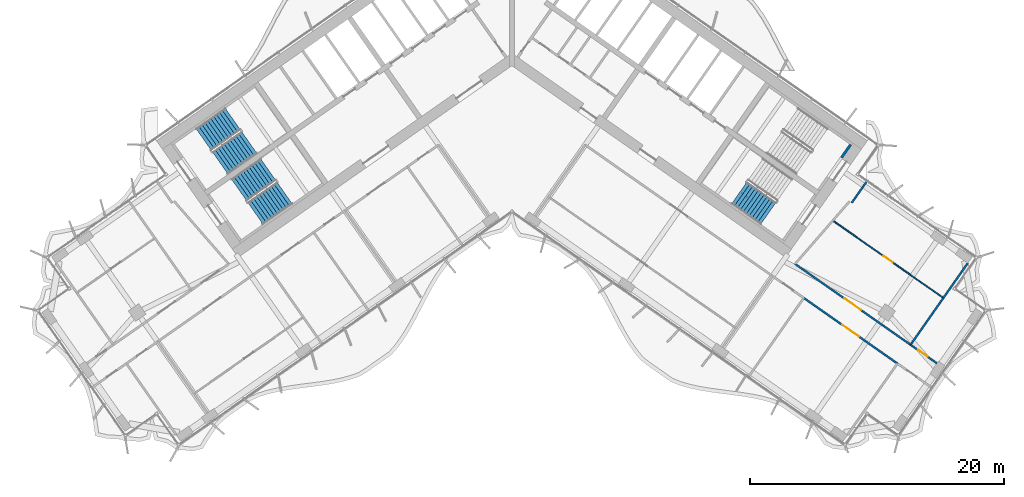
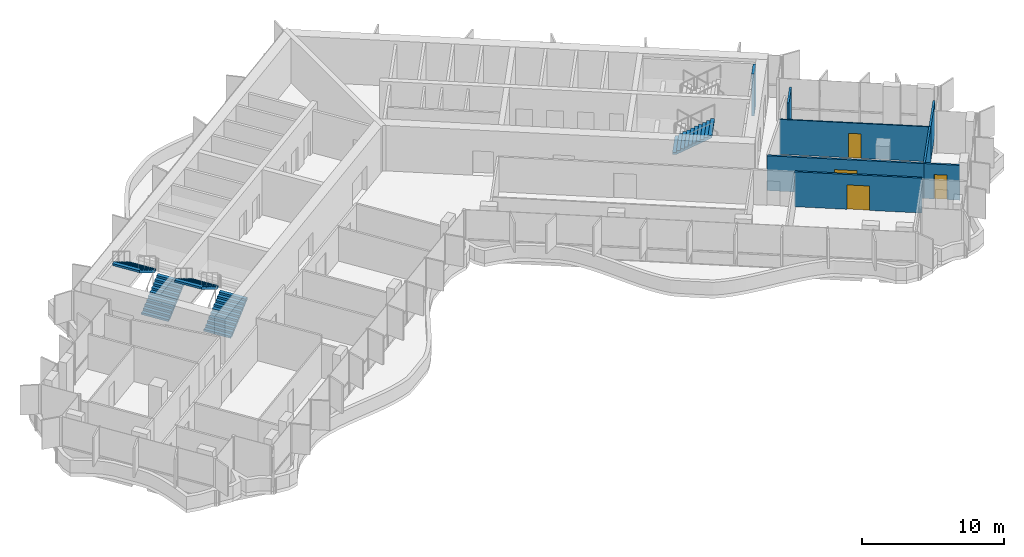
# One storey, part 17 of 23: 8 walls, 5 stair flights, 4 doors, 4 openings, 3 elements without a shape of their own.
"""IFC4 building model written with IfcOpenShell, lengths in metres."""

from ifc_helpers import new_model, si_unit, direction, frame, frame_2d, origin, place, context, subcontext, project, spatial, polyline, rectangle, outline, extrude, material, layer, layer_set, type_object, element, fill, aggregate, save


model = new_model("IFC4")

# Units and contexts
model_context = context("Model", 3, precision=1e-05, world=origin(), true_north=direction((0.0, 1.0)))
body_context = subcontext(model_context, "Body", "Model", "MODEL_VIEW")
ifc_project = project(units=[si_unit("LENGTHUNIT", "METRE"), si_unit("AREAUNIT", "SQUARE_METRE"), si_unit("VOLUMEUNIT", "CUBIC_METRE"), si_unit("PLANEANGLEUNIT", "RADIAN"), si_unit("MASSUNIT", "GRAM", prefix="KILO")], contexts=[model_context])

# Site, building, storey
site_placement = place(None, origin())
site = spatial("IfcSite", under=ifc_project, at=site_placement, CompositionType="ELEMENT")
building_placement = place(site_placement, origin())
building = spatial("IfcBuilding", under=site, at=building_placement, Name="Tel Ilan Convention Tower", CompositionType="ELEMENT")
storey_placement = place(building_placement, frame((0.0, 0.0, 182.699951171875)))
storey = spatial("IfcBuildingStorey", under=building, at=storey_placement, Name="L42", CompositionType="ELEMENT", Elevation=182.699951171875)

# Wall, opening, door
ifc_material_1 = material(Name="Plasterboard on Steel Studs", Category="steel")
ifc_layer_1 = layer(ifc_material_1, 0.14990234375)
ifc_layer_set_1 = layer_set([ifc_layer_1], Name="Fire-rated Partition 150 EI 60")
wall_type_1 = type_object("IfcWallType", Name="Fire-rated Partition 150 EI 60", PredefinedType="PARTITIONING", material=ifc_layer_set_1)
wall_1_placement = place(storey_placement, frame((22.283203125, -16.82373046875, 0.0), z_axis=(0.0, 0.0, 1.0), x_axis=(0.819159575642, -0.573565680313, 0.0)))
wall_1 = element("IfcWall", 1, at=wall_1_placement, inside=storey, type_object=wall_type_1, Name="Partition 001", PredefinedType="PARTITIONING", context=body_context, shape_type="SweptSolid", body=[
    extrude(rectangle(XDim=11.098876953125, YDim=0.14990234375, at=frame_2d((5.54931640625, 0.0))), origin(), (0.0, 0.0, 1.0), 3.0),
])
opening_1_placement = place(wall_1_placement, frame((4.74951171875, 0.0, 0.0)))
opening_1 = element("IfcOpeningElement", 2, at=opening_1_placement, cuts=wall_1, Name="Opening L42-018", PredefinedType="OPENING", context=body_context, shape_type="SweptSolid", body=[
    extrude(rectangle(XDim=1.60009765625, YDim=2.10009765625, at=frame_2d((0.800048828125, 1.050048828125))), frame((0.0, 0.0849609375, 0.0), z_axis=(0.0, -1.0, 0.0), x_axis=(1.0, 0.0, 0.0)), (0.0, 0.0, 1.0), 0.169921875),
])
ifc_material_2 = material(Name="Timber Door Leaf in Steel Frame", Category="steel")
door_type_1 = type_object("IfcDoorType", Name="Tenant Suite Entrance Fire Door 1600x2100", OperationType="NOTDEFINED", PredefinedType="DOOR", material=ifc_material_2)
door_1_placement = place(opening_1_placement, origin())
door_1 = element("IfcDoor", 3, at=door_1_placement, inside=storey, type_object=door_type_1, Name="Door L42-018", OperationType="DOUBLE_DOOR_SINGLE_SWING", OverallHeight=2.10009765625, OverallWidth=1.60009765625, PredefinedType="DOOR", context=body_context, shape_type="SweptSolid", body=[
    extrude(rectangle(XDim=1.60009765625, YDim=2.10009765625, at=frame_2d((0.800048828125, 1.050048828125))), frame((0.0, 0.02490234375, 0.0), z_axis=(0.0, -1.0, 0.0), x_axis=(1.0, 0.0, 0.0)), (0.0, 0.0, 1.0), 0.050048828125),
])
fill(opening_1, door_1)

wall_2_placement = place(storey_placement, frame((31.37158203125, -23.1875, 0.0), z_axis=(0.0, 0.0, 1.0), x_axis=(0.819150379241, -0.573578814278, 0.0)))
wall_2 = element("IfcWall", 4, at=wall_2_placement, inside=storey, type_object=wall_type_1, Name="Partition 002", PredefinedType="PARTITIONING", context=body_context, shape_type="SweptSolid", body=[
    extrude(rectangle(XDim=2.5322265625, YDim=0.14990234375, at=frame_2d((1.26611328125, 0.0))), origin(), (0.0, 0.0, 1.0), 3.0),
])
opening_2_placement = place(wall_2_placement, frame((0.716064453125, 0.0, 0.0)))
opening_2 = element("IfcOpeningElement", 5, at=opening_2_placement, cuts=wall_2, Name="Opening L42-020", PredefinedType="OPENING", context=body_context, shape_type="SweptSolid", body=[
    extrude(rectangle(XDim=0.89990234375, YDim=2.10009765625, at=frame_2d((0.449951171875, 1.050048828125))), frame((0.0, 0.0849609375, 0.0), z_axis=(0.0, -1.0, 0.0), x_axis=(1.0, 0.0, 0.0)), (0.0, 0.0, 1.0), 0.169921875),
])
ifc_material_3 = material(Name="Timber Door Leaf in Steel Frame", Category="steel")
door_type_2 = type_object("IfcDoorType", Name="Room Fire Door 900x2100", OperationType="NOTDEFINED", PredefinedType="DOOR", material=ifc_material_3)
door_2_placement = place(opening_2_placement, origin())
door_2 = element("IfcDoor", 6, at=door_2_placement, inside=storey, type_object=door_type_2, Name="Door L42-020", OperationType="SINGLE_SWING_RIGHT", OverallHeight=2.10009765625, OverallWidth=0.89990234375, PredefinedType="DOOR", context=body_context, shape_type="SweptSolid", body=[
    extrude(rectangle(XDim=0.89990234375, YDim=2.10009765625, at=frame_2d((0.449951171875, 1.050048828125))), frame((0.0, 0.02490234375, 0.0), z_axis=(0.0, -1.0, 0.0), x_axis=(1.0, 0.0, 0.0)), (0.0, 0.0, 1.0), 0.050048828125),
])
fill(opening_2, door_2)

wall_3_placement = place(storey_placement, frame((30.342529296875, -24.664306640625, 0.0), z_axis=(0.0, 0.0, 1.0), x_axis=(-0.819151661297, 0.57357698332, 0.0)))
wall_3 = element("IfcWall", 7, at=wall_3_placement, inside=storey, type_object=wall_type_1, Name="Partition 005", PredefinedType="PARTITIONING", context=body_context, shape_type="SweptSolid", body=[
    extrude(rectangle(XDim=9.004150390625, YDim=0.14990234375, at=frame_2d((4.501953125, 0.0))), origin(), (0.0, 0.0, 1.0), 3.0),
])
opening_3_placement = place(wall_3_placement, frame((3.701904296875, 0.0, 0.0)))
opening_3 = element("IfcOpeningElement", 8, at=opening_3_placement, cuts=wall_3, Name="Opening L42-016", PredefinedType="OPENING", context=body_context, shape_type="SweptSolid", body=[
    extrude(rectangle(XDim=1.60009765625, YDim=2.10009765625, at=frame_2d((0.800048828125, 1.050048828125))), frame((0.0, 0.0849609375, 0.0), z_axis=(0.0, -1.0, 0.0), x_axis=(1.0, 0.0, 0.0)), (0.0, 0.0, 1.0), 0.169921875),
])
door_3_placement = place(opening_3_placement, origin())
door_3 = element("IfcDoor", 9, at=door_3_placement, inside=storey, type_object=door_type_1, Name="Door L42-016", OperationType="DOUBLE_DOOR_SINGLE_SWING", OverallHeight=2.10009765625, OverallWidth=1.60009765625, PredefinedType="DOOR", context=body_context, shape_type="SweptSolid", body=[
    extrude(rectangle(XDim=1.60009765625, YDim=2.10009765625, at=frame_2d((0.800048828125, 1.050048828125))), frame((0.0, 0.02490234375, 0.0), z_axis=(0.0, -1.0, 0.0), x_axis=(1.0, 0.0, 0.0)), (0.0, 0.0, 1.0), 0.050048828125),
])
fill(opening_3, door_3)

# Walls
wall_4_placement = place(storey_placement, frame((35.864501953125, -16.774658203125, 0.0), z_axis=(0.0, 0.0, 1.0), x_axis=(-0.573560777794, -0.819163008306, 0.0)))
element("IfcWall", 10, at=wall_4_placement, inside=storey, type_object=wall_type_1, Name="Partition 018", PredefinedType="PARTITIONING", context=body_context, shape_type="SweptSolid", body=[
    extrude(rectangle(XDim=3.3291015625, YDim=0.14990234375, at=frame_2d((1.66455078125, 0.0))), origin(), (0.0, 0.0, 1.0), 2.900146484375),
])
wall_5_placement = place(storey_placement, frame((26.74609375, -12.013671875, 0.0), z_axis=(0.0, 0.0, 1.0), x_axis=(0.573568836472, 0.819157365729, 0.0)))
element("IfcWall", 11, at=wall_5_placement, inside=storey, type_object=wall_type_1, Name="Partition 020", PredefinedType="PARTITIONING", context=body_context, shape_type="SweptSolid", body=[
    extrude(rectangle(XDim=2.000244140625, YDim=0.14990234375, at=frame_2d((1.0, 0.0))), origin(), (0.0, 0.0, 1.0), 3.0),
])
wall_6_placement = place(storey_placement, frame((33.954345703125, -19.50244140625, 0.0), z_axis=(0.0, 0.0, 1.0), x_axis=(-0.573560650686, -0.819163097304, 0.0)))
element("IfcWall", 12, at=wall_6_placement, inside=storey, type_object=wall_type_1, Name="Partition 021", PredefinedType="PARTITIONING", context=body_context, shape_type="SweptSolid", body=[
    extrude(rectangle(XDim=4.5, YDim=0.14990234375, at=frame_2d((2.25, 0.0))), origin(), (0.0, 0.0, 1.0), 3.0),
])

# Wall, opening, door
ifc_material_4 = material(Name="Plasterboard on Steel Studs", Category="steel")
ifc_layer_2 = layer(ifc_material_4, 0.10009765625)
ifc_layer_set_2 = layer_set([ifc_layer_2], Name="Plasterboard Partition 100")
wall_type_2 = type_object("IfcWallType", Name="Plasterboard Partition 100", PredefinedType="PARTITIONING", material=ifc_layer_set_2)
wall_7_placement = place(storey_placement, frame((25.257568359375, -13.41162109375, 0.0), z_axis=(0.0, 0.0, 1.0), x_axis=(0.81915089424, -0.573578078788, 0.0)))
wall_7 = element("IfcWall", 13, at=wall_7_placement, inside=storey, type_object=wall_type_2, Name="Partition 017", PredefinedType="PARTITIONING", context=body_context, shape_type="SweptSolid", body=[
    extrude(rectangle(XDim=10.61767578125, YDim=0.10009765625, at=frame_2d((5.308837890625, 0.0))), origin(), (0.0, 0.0, 1.0), 3.0),
])
opening_4_placement = place(wall_7_placement, frame((4.85888671875, 0.0, 0.0)))
opening_4 = element("IfcOpeningElement", 14, at=opening_4_placement, cuts=wall_7, Name="Opening L42-019", PredefinedType="OPENING", context=body_context, shape_type="SweptSolid", body=[
    extrude(rectangle(XDim=0.89990234375, YDim=2.10009765625, at=frame_2d((0.449951171875, 1.050048828125))), frame((0.0, 0.06005859375, 0.0), z_axis=(0.0, -1.0, 0.0), x_axis=(1.0, 0.0, 0.0)), (0.0, 0.0, 1.0), 0.1201171875),
])
ifc_material_5 = material(Name="Timber Door Leaf in Steel Frame", Category="steel")
door_type_3 = type_object("IfcDoorType", Name="Room Timber Door 900x2100", OperationType="NOTDEFINED", PredefinedType="DOOR", material=ifc_material_5)
door_4_placement = place(opening_4_placement, origin())
door_4 = element("IfcDoor", 15, at=door_4_placement, inside=storey, type_object=door_type_3, Name="Door L42-019", OperationType="SINGLE_SWING_RIGHT", OverallHeight=2.10009765625, OverallWidth=0.89990234375, PredefinedType="DOOR", context=body_context, shape_type="SweptSolid", body=[
    extrude(rectangle(XDim=0.89990234375, YDim=2.10009765625, at=frame_2d((0.449951171875, 1.050048828125))), frame((0.0, 0.02490234375, 0.0), z_axis=(0.0, -1.0, 0.0), x_axis=(1.0, 0.0, 0.0)), (0.0, 0.0, 1.0), 0.050048828125),
])
fill(opening_4, door_4)

# Wall
ifc_material_6 = material(Name="Concrete C30/37", Category="concrete")
ifc_layer_3 = layer(ifc_material_6, 0.199951171875)
ifc_layer_set_3 = layer_set([ifc_layer_3], Name="Stair and Shaft Lining Wall 200 mm C30/37")
wall_type_3 = type_object("IfcWallType", Name="Stair and Shaft Lining Wall 200 mm C30/37", PredefinedType="SOLIDWALL", material=ifc_layer_set_3)
wall_8_placement = place(storey_placement, frame((25.939697265625, -8.4580078125, 0.0), z_axis=(0.0, 0.0, 1.0), x_axis=(0.573619628835, 0.819121798889, 0.0)))
element("IfcWall", 16, at=wall_8_placement, inside=storey, type_object=wall_type_3, Name="L42 core wall lining-S3-u1-1", PredefinedType="SOLIDWALL", context=body_context, shape_type="SweptSolid", body=[
    extrude(rectangle(XDim=1.25, YDim=0.199951171875, at=frame_2d((0.625, 0.0))), origin(), (0.0, 0.0, 1.0), 3.6201171875),
])

# Stair, stair flights
ifc_material_7 = material(Name="Concrete C40/50", Category="concrete")
stair_type = type_object("IfcStairType", Name="Pressurised Exit Stair 22 risers 177 mm", PredefinedType="HALF_TURN_STAIR", material=ifc_material_7)
stair_1_placement = place(storey_placement, origin())
stair_1 = element("IfcStair", 17, at=stair_1_placement, inside=storey, type_object=stair_type, Name="L42 Pressurised Stair S1", PredefinedType="HALF_TURN_STAIR")
ifc_material_8 = material(Name="Precast Concrete C40/50", Category="concrete")
stair_flight_type = type_object("IfcStairFlightType", Name="Concrete Stair Flight 2100 mm 22 risers 177 mm", PredefinedType="STRAIGHT", material=ifc_material_8)
stair_flight_1_placement = place(storey_placement, frame((-22.9619140625, -8.87548828125, 0.0), z_axis=(0.0, 0.0, 1.0), x_axis=(0.819152044289, 0.573576436351, 0.0)))
stair_flight_1 = element("IfcStairFlight", 18, at=stair_flight_1_placement, type_object=stair_flight_type, Name="S1 flight 1", NumberOfRisers=11, NumberOfTreads=10, PredefinedType="STRAIGHT", RiserHeight=0.177272727, TreadLength=0.28, context=body_context, shape_type="SweptSolid", body=[
    extrude(outline(polyline([(0.0, 0.0), (0.0, 0.17724609375), (0.280029296875, 0.17724609375), (0.280029296875, 0.3544921875), (0.56005859375, 0.3544921875), (0.56005859375, 0.53173828125), (0.840087890625, 0.53173828125), (0.840087890625, 0.708984375), (1.1201171875, 0.708984375), (1.1201171875, 0.886474609375), (1.39990234375, 0.886474609375), (1.39990234375, 1.063720703125), (1.679931640625, 1.063720703125), (1.679931640625, 1.240966796875), (1.9599609375, 1.240966796875), (1.9599609375, 1.418212890625), (2.239990234375, 1.418212890625), (2.239990234375, 1.595458984375), (2.52001953125, 1.595458984375), (2.52001953125, 1.772705078125), (2.800048828125, 1.772705078125), (2.800048828125, 1.949951171875), (2.800048828125, 1.59521484375), (0.2802734375, 0.0), (0.0, 0.0)])), frame((0.0, -0.100341796875, 0.0), z_axis=(0.0, -1.0, 0.0), x_axis=(1.0, 0.0, 0.0)), (0.0, 0.0, 1.0), 0.94970703125),
    extrude(outline(polyline([(0.0, 0.0), (0.0, 0.17724609375), (0.280029296875, 0.17724609375), (0.280029296875, 0.3544921875), (0.56005859375, 0.3544921875), (0.56005859375, 0.53173828125), (0.840087890625, 0.53173828125), (0.840087890625, 0.708984375), (1.1201171875, 0.708984375), (1.1201171875, 0.886474609375), (1.39990234375, 0.886474609375), (1.39990234375, 1.063720703125), (1.679931640625, 1.063720703125), (1.679931640625, 1.240966796875), (1.9599609375, 1.240966796875), (1.9599609375, 1.418212890625), (2.239990234375, 1.418212890625), (2.239990234375, 1.595458984375), (2.52001953125, 1.595458984375), (2.52001953125, 1.772705078125), (2.800048828125, 1.772705078125), (2.800048828125, 1.949951171875), (2.800048828125, 1.59521484375), (0.2802734375, 0.0), (0.0, 0.0)])), frame((0.0, -0.000244140625, 0.0), z_axis=(0.0, -1.0, 0.0), x_axis=(1.0, 0.0, 0.0)), (0.0, 0.0, 1.0), 0.099609375),
    extrude(outline(polyline([(0.0, 0.0), (0.0, 0.17724609375), (0.280029296875, 0.17724609375), (0.280029296875, 0.3544921875), (0.56005859375, 0.3544921875), (0.56005859375, 0.53173828125), (0.840087890625, 0.53173828125), (0.840087890625, 0.708984375), (1.1201171875, 0.708984375), (1.1201171875, 0.886474609375), (1.39990234375, 0.886474609375), (1.39990234375, 1.063720703125), (1.679931640625, 1.063720703125), (1.679931640625, 1.240966796875), (1.9599609375, 1.240966796875), (1.9599609375, 1.418212890625), (2.239990234375, 1.418212890625), (2.239990234375, 1.595458984375), (2.52001953125, 1.595458984375), (2.52001953125, 1.772705078125), (2.800048828125, 1.772705078125), (2.800048828125, 1.949951171875), (2.800048828125, 1.59521484375), (0.2802734375, 0.0), (0.0, 0.0)])), frame((0.0, 0.099853515625, 0.0), z_axis=(0.0, -1.0, 0.0), x_axis=(1.0, 0.0, 0.0)), (0.0, 0.0, 1.0), 0.099609375),
    extrude(outline(polyline([(0.0, 0.0), (0.0, 0.17724609375), (0.280029296875, 0.17724609375), (0.280029296875, 0.3544921875), (0.56005859375, 0.3544921875), (0.56005859375, 0.53173828125), (0.840087890625, 0.53173828125), (0.840087890625, 0.708984375), (1.1201171875, 0.708984375), (1.1201171875, 0.886474609375), (1.39990234375, 0.886474609375), (1.39990234375, 1.063720703125), (1.679931640625, 1.063720703125), (1.679931640625, 1.240966796875), (1.9599609375, 1.240966796875), (1.9599609375, 1.418212890625), (2.239990234375, 1.418212890625), (2.239990234375, 1.595458984375), (2.52001953125, 1.595458984375), (2.52001953125, 1.772705078125), (2.800048828125, 1.772705078125), (2.800048828125, 1.949951171875), (2.800048828125, 1.59521484375), (0.2802734375, 0.0), (0.0, 0.0)])), frame((0.0, 1.050048828125, 0.0), z_axis=(0.0, -1.0, 0.0), x_axis=(1.0, 0.0, 0.0)), (0.0, 0.0, 1.0), 0.94970703125),
])
stair_flight_2_placement = place(storey_placement, frame((-21.958740234375, -5.42626953125, 1.949951171875), z_axis=(0.0, 0.0, 1.0), x_axis=(-0.819152044289, -0.573576436351, 0.0)))
stair_flight_2 = element("IfcStairFlight", 19, at=stair_flight_2_placement, type_object=stair_flight_type, Name="S1 flight 2", NumberOfRisers=11, NumberOfTreads=10, PredefinedType="STRAIGHT", RiserHeight=0.177272727, TreadLength=0.28, context=body_context, shape_type="SweptSolid", body=[
    extrude(outline(polyline([(0.0, 0.0), (0.0, 0.17724609375), (0.280029296875, 0.17724609375), (0.280029296875, 0.3544921875), (0.56005859375, 0.3544921875), (0.56005859375, 0.53173828125), (0.840087890625, 0.53173828125), (0.840087890625, 0.708984375), (1.1201171875, 0.708984375), (1.1201171875, 0.886474609375), (1.39990234375, 0.886474609375), (1.39990234375, 1.063720703125), (1.679931640625, 1.063720703125), (1.679931640625, 1.240966796875), (1.9599609375, 1.240966796875), (1.9599609375, 1.418212890625), (2.239990234375, 1.418212890625), (2.239990234375, 1.595458984375), (2.52001953125, 1.595458984375), (2.52001953125, 1.772705078125), (2.800048828125, 1.772705078125), (2.800048828125, 1.949951171875), (2.800048828125, 1.59521484375), (0.2802734375, 0.0), (0.0, 0.0)])), frame((0.0, -0.100341796875, 0.0), z_axis=(0.0, -1.0, 0.0), x_axis=(1.0, 0.0, 0.0)), (0.0, 0.0, 1.0), 0.94970703125),
    extrude(outline(polyline([(0.0, 0.0), (0.0, 0.17724609375), (0.280029296875, 0.17724609375), (0.280029296875, 0.3544921875), (0.56005859375, 0.3544921875), (0.56005859375, 0.53173828125), (0.840087890625, 0.53173828125), (0.840087890625, 0.708984375), (1.1201171875, 0.708984375), (1.1201171875, 0.886474609375), (1.39990234375, 0.886474609375), (1.39990234375, 1.063720703125), (1.679931640625, 1.063720703125), (1.679931640625, 1.240966796875), (1.9599609375, 1.240966796875), (1.9599609375, 1.418212890625), (2.239990234375, 1.418212890625), (2.239990234375, 1.595458984375), (2.52001953125, 1.595458984375), (2.52001953125, 1.772705078125), (2.800048828125, 1.772705078125), (2.800048828125, 1.949951171875), (2.800048828125, 1.59521484375), (0.2802734375, 0.0), (0.0, 0.0)])), frame((0.0, -0.000244140625, 0.0), z_axis=(0.0, -1.0, 0.0), x_axis=(1.0, 0.0, 0.0)), (0.0, 0.0, 1.0), 0.099609375),
    extrude(outline(polyline([(0.0, 0.0), (0.0, 0.17724609375), (0.280029296875, 0.17724609375), (0.280029296875, 0.3544921875), (0.56005859375, 0.3544921875), (0.56005859375, 0.53173828125), (0.840087890625, 0.53173828125), (0.840087890625, 0.708984375), (1.1201171875, 0.708984375), (1.1201171875, 0.886474609375), (1.39990234375, 0.886474609375), (1.39990234375, 1.063720703125), (1.679931640625, 1.063720703125), (1.679931640625, 1.240966796875), (1.9599609375, 1.240966796875), (1.9599609375, 1.418212890625), (2.239990234375, 1.418212890625), (2.239990234375, 1.595458984375), (2.52001953125, 1.595458984375), (2.52001953125, 1.772705078125), (2.800048828125, 1.772705078125), (2.800048828125, 1.949951171875), (2.800048828125, 1.59521484375), (0.2802734375, 0.0), (0.0, 0.0)])), frame((0.0, 0.099853515625, 0.0), z_axis=(0.0, -1.0, 0.0), x_axis=(1.0, 0.0, 0.0)), (0.0, 0.0, 1.0), 0.099609375),
    extrude(outline(polyline([(0.0, 0.0), (0.0, 0.17724609375), (0.280029296875, 0.17724609375), (0.280029296875, 0.3544921875), (0.56005859375, 0.3544921875), (0.56005859375, 0.53173828125), (0.840087890625, 0.53173828125), (0.840087890625, 0.708984375), (1.1201171875, 0.708984375), (1.1201171875, 0.886474609375), (1.39990234375, 0.886474609375), (1.39990234375, 1.063720703125), (1.679931640625, 1.063720703125), (1.679931640625, 1.240966796875), (1.9599609375, 1.240966796875), (1.9599609375, 1.418212890625), (2.239990234375, 1.418212890625), (2.239990234375, 1.595458984375), (2.52001953125, 1.595458984375), (2.52001953125, 1.772705078125), (2.800048828125, 1.772705078125), (2.800048828125, 1.949951171875), (2.800048828125, 1.59521484375), (0.2802734375, 0.0), (0.0, 0.0)])), frame((0.0, 1.050048828125, 0.0), z_axis=(0.0, -1.0, 0.0), x_axis=(1.0, 0.0, 0.0)), (0.0, 0.0, 1.0), 0.94970703125),
])
aggregate(stair_1, [stair_flight_1, stair_flight_2])

stair_2_placement = place(storey_placement, origin())
stair_2 = element("IfcStair", 20, at=stair_2_placement, inside=storey, type_object=stair_type, Name="L42 Pressurised Stair S2", PredefinedType="HALF_TURN_STAIR")
stair_flight_3_placement = place(storey_placement, frame((-20.179931640625, -12.848388671875, 0.0), z_axis=(0.0, 0.0, 1.0), x_axis=(0.819152044289, 0.573576436351, 0.0)))
stair_flight_3 = element("IfcStairFlight", 21, at=stair_flight_3_placement, type_object=stair_flight_type, Name="S2 flight 1", NumberOfRisers=11, NumberOfTreads=10, PredefinedType="STRAIGHT", RiserHeight=0.177272727, TreadLength=0.28, context=body_context, shape_type="SweptSolid", body=[
    extrude(outline(polyline([(0.0, 0.0), (0.0, 0.17724609375), (0.280029296875, 0.17724609375), (0.280029296875, 0.3544921875), (0.56005859375, 0.3544921875), (0.56005859375, 0.53173828125), (0.840087890625, 0.53173828125), (0.840087890625, 0.708984375), (1.1201171875, 0.708984375), (1.1201171875, 0.886474609375), (1.39990234375, 0.886474609375), (1.39990234375, 1.063720703125), (1.679931640625, 1.063720703125), (1.679931640625, 1.240966796875), (1.9599609375, 1.240966796875), (1.9599609375, 1.418212890625), (2.239990234375, 1.418212890625), (2.239990234375, 1.595458984375), (2.52001953125, 1.595458984375), (2.52001953125, 1.772705078125), (2.800048828125, 1.772705078125), (2.800048828125, 1.949951171875), (2.800048828125, 1.59521484375), (0.2802734375, 0.0), (0.0, 0.0)])), frame((0.0, -0.100341796875, 0.0), z_axis=(0.0, -1.0, 0.0), x_axis=(1.0, 0.0, 0.0)), (0.0, 0.0, 1.0), 0.94970703125),
    extrude(outline(polyline([(0.0, 0.0), (0.0, 0.17724609375), (0.280029296875, 0.17724609375), (0.280029296875, 0.3544921875), (0.56005859375, 0.3544921875), (0.56005859375, 0.53173828125), (0.840087890625, 0.53173828125), (0.840087890625, 0.708984375), (1.1201171875, 0.708984375), (1.1201171875, 0.886474609375), (1.39990234375, 0.886474609375), (1.39990234375, 1.063720703125), (1.679931640625, 1.063720703125), (1.679931640625, 1.240966796875), (1.9599609375, 1.240966796875), (1.9599609375, 1.418212890625), (2.239990234375, 1.418212890625), (2.239990234375, 1.595458984375), (2.52001953125, 1.595458984375), (2.52001953125, 1.772705078125), (2.800048828125, 1.772705078125), (2.800048828125, 1.949951171875), (2.800048828125, 1.59521484375), (0.2802734375, 0.0), (0.0, 0.0)])), frame((0.0, -0.000244140625, 0.0), z_axis=(0.0, -1.0, 0.0), x_axis=(1.0, 0.0, 0.0)), (0.0, 0.0, 1.0), 0.099609375),
    extrude(outline(polyline([(0.0, 0.0), (0.0, 0.17724609375), (0.280029296875, 0.17724609375), (0.280029296875, 0.3544921875), (0.56005859375, 0.3544921875), (0.56005859375, 0.53173828125), (0.840087890625, 0.53173828125), (0.840087890625, 0.708984375), (1.1201171875, 0.708984375), (1.1201171875, 0.886474609375), (1.39990234375, 0.886474609375), (1.39990234375, 1.063720703125), (1.679931640625, 1.063720703125), (1.679931640625, 1.240966796875), (1.9599609375, 1.240966796875), (1.9599609375, 1.418212890625), (2.239990234375, 1.418212890625), (2.239990234375, 1.595458984375), (2.52001953125, 1.595458984375), (2.52001953125, 1.772705078125), (2.800048828125, 1.772705078125), (2.800048828125, 1.949951171875), (2.800048828125, 1.59521484375), (0.2802734375, 0.0), (0.0, 0.0)])), frame((0.0, 0.099853515625, 0.0), z_axis=(0.0, -1.0, 0.0), x_axis=(1.0, 0.0, 0.0)), (0.0, 0.0, 1.0), 0.099609375),
    extrude(outline(polyline([(0.0, 0.0), (0.0, 0.17724609375), (0.280029296875, 0.17724609375), (0.280029296875, 0.3544921875), (0.56005859375, 0.3544921875), (0.56005859375, 0.53173828125), (0.840087890625, 0.53173828125), (0.840087890625, 0.708984375), (1.1201171875, 0.708984375), (1.1201171875, 0.886474609375), (1.39990234375, 0.886474609375), (1.39990234375, 1.063720703125), (1.679931640625, 1.063720703125), (1.679931640625, 1.240966796875), (1.9599609375, 1.240966796875), (1.9599609375, 1.418212890625), (2.239990234375, 1.418212890625), (2.239990234375, 1.595458984375), (2.52001953125, 1.595458984375), (2.52001953125, 1.772705078125), (2.800048828125, 1.772705078125), (2.800048828125, 1.949951171875), (2.800048828125, 1.59521484375), (0.2802734375, 0.0), (0.0, 0.0)])), frame((0.0, 1.050048828125, 0.0), z_axis=(0.0, -1.0, 0.0), x_axis=(1.0, 0.0, 0.0)), (0.0, 0.0, 1.0), 0.94970703125),
])
stair_flight_4_placement = place(storey_placement, frame((-19.177001953125, -9.399169921875, 1.949951171875), z_axis=(0.0, 0.0, 1.0), x_axis=(-0.819152044289, -0.573576436351, 0.0)))
stair_flight_4 = element("IfcStairFlight", 22, at=stair_flight_4_placement, type_object=stair_flight_type, Name="S2 flight 2", NumberOfRisers=11, NumberOfTreads=10, PredefinedType="STRAIGHT", RiserHeight=0.177272727, TreadLength=0.28, context=body_context, shape_type="SweptSolid", body=[
    extrude(outline(polyline([(0.0, 0.0), (0.0, 0.17724609375), (0.280029296875, 0.17724609375), (0.280029296875, 0.3544921875), (0.56005859375, 0.3544921875), (0.56005859375, 0.53173828125), (0.840087890625, 0.53173828125), (0.840087890625, 0.708984375), (1.1201171875, 0.708984375), (1.1201171875, 0.886474609375), (1.39990234375, 0.886474609375), (1.39990234375, 1.063720703125), (1.679931640625, 1.063720703125), (1.679931640625, 1.240966796875), (1.9599609375, 1.240966796875), (1.9599609375, 1.418212890625), (2.239990234375, 1.418212890625), (2.239990234375, 1.595458984375), (2.52001953125, 1.595458984375), (2.52001953125, 1.772705078125), (2.800048828125, 1.772705078125), (2.800048828125, 1.949951171875), (2.800048828125, 1.59521484375), (0.2802734375, 0.0), (0.0, 0.0)])), frame((0.0, -0.100341796875, 0.0), z_axis=(0.0, -1.0, 0.0), x_axis=(1.0, 0.0, 0.0)), (0.0, 0.0, 1.0), 0.94970703125),
    extrude(outline(polyline([(0.0, 0.0), (0.0, 0.17724609375), (0.280029296875, 0.17724609375), (0.280029296875, 0.3544921875), (0.56005859375, 0.3544921875), (0.56005859375, 0.53173828125), (0.840087890625, 0.53173828125), (0.840087890625, 0.708984375), (1.1201171875, 0.708984375), (1.1201171875, 0.886474609375), (1.39990234375, 0.886474609375), (1.39990234375, 1.063720703125), (1.679931640625, 1.063720703125), (1.679931640625, 1.240966796875), (1.9599609375, 1.240966796875), (1.9599609375, 1.418212890625), (2.239990234375, 1.418212890625), (2.239990234375, 1.595458984375), (2.52001953125, 1.595458984375), (2.52001953125, 1.772705078125), (2.800048828125, 1.772705078125), (2.800048828125, 1.949951171875), (2.800048828125, 1.59521484375), (0.2802734375, 0.0), (0.0, 0.0)])), frame((0.0, -0.000244140625, 0.0), z_axis=(0.0, -1.0, 0.0), x_axis=(1.0, 0.0, 0.0)), (0.0, 0.0, 1.0), 0.099609375),
    extrude(outline(polyline([(0.0, 0.0), (0.0, 0.17724609375), (0.280029296875, 0.17724609375), (0.280029296875, 0.3544921875), (0.56005859375, 0.3544921875), (0.56005859375, 0.53173828125), (0.840087890625, 0.53173828125), (0.840087890625, 0.708984375), (1.1201171875, 0.708984375), (1.1201171875, 0.886474609375), (1.39990234375, 0.886474609375), (1.39990234375, 1.063720703125), (1.679931640625, 1.063720703125), (1.679931640625, 1.240966796875), (1.9599609375, 1.240966796875), (1.9599609375, 1.418212890625), (2.239990234375, 1.418212890625), (2.239990234375, 1.595458984375), (2.52001953125, 1.595458984375), (2.52001953125, 1.772705078125), (2.800048828125, 1.772705078125), (2.800048828125, 1.949951171875), (2.800048828125, 1.59521484375), (0.2802734375, 0.0), (0.0, 0.0)])), frame((0.0, 0.099853515625, 0.0), z_axis=(0.0, -1.0, 0.0), x_axis=(1.0, 0.0, 0.0)), (0.0, 0.0, 1.0), 0.099609375),
    extrude(outline(polyline([(0.0, 0.0), (0.0, 0.17724609375), (0.280029296875, 0.17724609375), (0.280029296875, 0.3544921875), (0.56005859375, 0.3544921875), (0.56005859375, 0.53173828125), (0.840087890625, 0.53173828125), (0.840087890625, 0.708984375), (1.1201171875, 0.708984375), (1.1201171875, 0.886474609375), (1.39990234375, 0.886474609375), (1.39990234375, 1.063720703125), (1.679931640625, 1.063720703125), (1.679931640625, 1.240966796875), (1.9599609375, 1.240966796875), (1.9599609375, 1.418212890625), (2.239990234375, 1.418212890625), (2.239990234375, 1.595458984375), (2.52001953125, 1.595458984375), (2.52001953125, 1.772705078125), (2.800048828125, 1.772705078125), (2.800048828125, 1.949951171875), (2.800048828125, 1.59521484375), (0.2802734375, 0.0), (0.0, 0.0)])), frame((0.0, 1.050048828125, 0.0), z_axis=(0.0, -1.0, 0.0), x_axis=(1.0, 0.0, 0.0)), (0.0, 0.0, 1.0), 0.94970703125),
])
aggregate(stair_2, [stair_flight_3, stair_flight_4])

# Stair, stair flight
stair_3_placement = place(storey_placement, origin())
stair_3 = element("IfcStair", 23, at=stair_3_placement, inside=storey, type_object=stair_type, Name="L42 Pressurised Stair S4", PredefinedType="HALF_TURN_STAIR")
stair_flight_5_placement = place(storey_placement, frame((17.886474609375, -11.242431640625, 1.949951171875), z_axis=(0.0, 0.0, 1.0), x_axis=(0.819152044289, -0.573576436351, 0.0)))
stair_flight_5 = element("IfcStairFlight", 24, at=stair_flight_5_placement, type_object=stair_flight_type, Name="S4 flight 2", NumberOfRisers=11, NumberOfTreads=10, PredefinedType="STRAIGHT", RiserHeight=0.177272727, TreadLength=0.28, context=body_context, shape_type="SweptSolid", body=[
    extrude(outline(polyline([(0.0, 0.0), (0.0, 0.17724609375), (0.280029296875, 0.17724609375), (0.280029296875, 0.3544921875), (0.56005859375, 0.3544921875), (0.56005859375, 0.53173828125), (0.840087890625, 0.53173828125), (0.840087890625, 0.708984375), (1.1201171875, 0.708984375), (1.1201171875, 0.886474609375), (1.39990234375, 0.886474609375), (1.39990234375, 1.063720703125), (1.679931640625, 1.063720703125), (1.679931640625, 1.240966796875), (1.9599609375, 1.240966796875), (1.9599609375, 1.418212890625), (2.239990234375, 1.418212890625), (2.239990234375, 1.595458984375), (2.52001953125, 1.595458984375), (2.52001953125, 1.772705078125), (2.800048828125, 1.772705078125), (2.800048828125, 1.949951171875), (2.800048828125, 1.59521484375), (0.2802734375, 0.0), (0.0, 0.0)])), frame((0.0, -0.100341796875, 0.0), z_axis=(0.0, -1.0, 0.0), x_axis=(1.0, 0.0, 0.0)), (0.0, 0.0, 1.0), 0.94970703125),
    extrude(outline(polyline([(0.0, 0.0), (0.0, 0.17724609375), (0.280029296875, 0.17724609375), (0.280029296875, 0.3544921875), (0.56005859375, 0.3544921875), (0.56005859375, 0.53173828125), (0.840087890625, 0.53173828125), (0.840087890625, 0.708984375), (1.1201171875, 0.708984375), (1.1201171875, 0.886474609375), (1.39990234375, 0.886474609375), (1.39990234375, 1.063720703125), (1.679931640625, 1.063720703125), (1.679931640625, 1.240966796875), (1.9599609375, 1.240966796875), (1.9599609375, 1.418212890625), (2.239990234375, 1.418212890625), (2.239990234375, 1.595458984375), (2.52001953125, 1.595458984375), (2.52001953125, 1.772705078125), (2.800048828125, 1.772705078125), (2.800048828125, 1.949951171875), (2.800048828125, 1.59521484375), (0.2802734375, 0.0), (0.0, 0.0)])), frame((0.0, -0.000244140625, 0.0), z_axis=(0.0, -1.0, 0.0), x_axis=(1.0, 0.0, 0.0)), (0.0, 0.0, 1.0), 0.099609375),
    extrude(outline(polyline([(0.0, 0.0), (0.0, 0.17724609375), (0.280029296875, 0.17724609375), (0.280029296875, 0.3544921875), (0.56005859375, 0.3544921875), (0.56005859375, 0.53173828125), (0.840087890625, 0.53173828125), (0.840087890625, 0.708984375), (1.1201171875, 0.708984375), (1.1201171875, 0.886474609375), (1.39990234375, 0.886474609375), (1.39990234375, 1.063720703125), (1.679931640625, 1.063720703125), (1.679931640625, 1.240966796875), (1.9599609375, 1.240966796875), (1.9599609375, 1.418212890625), (2.239990234375, 1.418212890625), (2.239990234375, 1.595458984375), (2.52001953125, 1.595458984375), (2.52001953125, 1.772705078125), (2.800048828125, 1.772705078125), (2.800048828125, 1.949951171875), (2.800048828125, 1.59521484375), (0.2802734375, 0.0), (0.0, 0.0)])), frame((0.0, 0.099853515625, 0.0), z_axis=(0.0, -1.0, 0.0), x_axis=(1.0, 0.0, 0.0)), (0.0, 0.0, 1.0), 0.099609375),
    extrude(outline(polyline([(0.0, 0.0), (0.0, 0.17724609375), (0.280029296875, 0.17724609375), (0.280029296875, 0.3544921875), (0.56005859375, 0.3544921875), (0.56005859375, 0.53173828125), (0.840087890625, 0.53173828125), (0.840087890625, 0.708984375), (1.1201171875, 0.708984375), (1.1201171875, 0.886474609375), (1.39990234375, 0.886474609375), (1.39990234375, 1.063720703125), (1.679931640625, 1.063720703125), (1.679931640625, 1.240966796875), (1.9599609375, 1.240966796875), (1.9599609375, 1.418212890625), (2.239990234375, 1.418212890625), (2.239990234375, 1.595458984375), (2.52001953125, 1.595458984375), (2.52001953125, 1.772705078125), (2.800048828125, 1.772705078125), (2.800048828125, 1.949951171875), (2.800048828125, 1.59521484375), (0.2802734375, 0.0), (0.0, 0.0)])), frame((0.0, 1.050048828125, 0.0), z_axis=(0.0, -1.0, 0.0), x_axis=(1.0, 0.0, 0.0)), (0.0, 0.0, 1.0), 0.94970703125),
])
aggregate(stair_3, [stair_flight_5])

save(model, "model.ifc")
